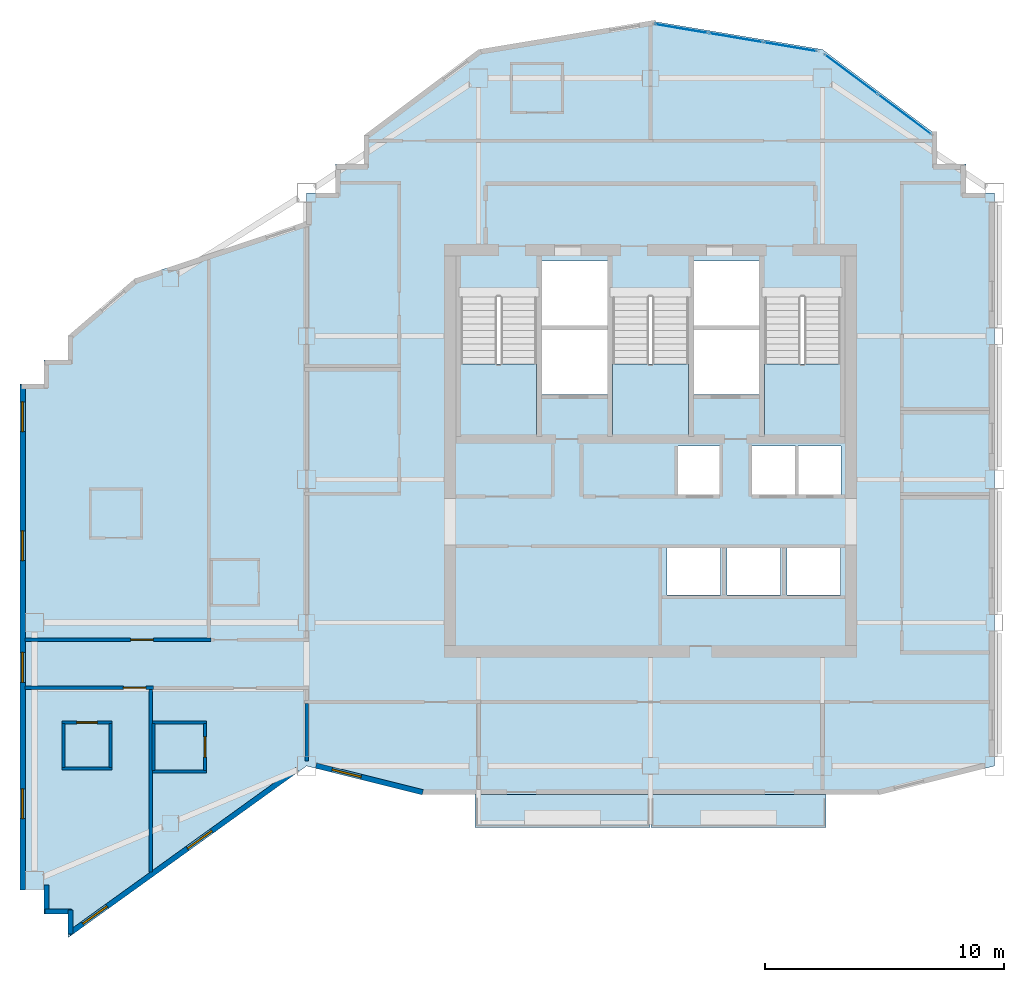
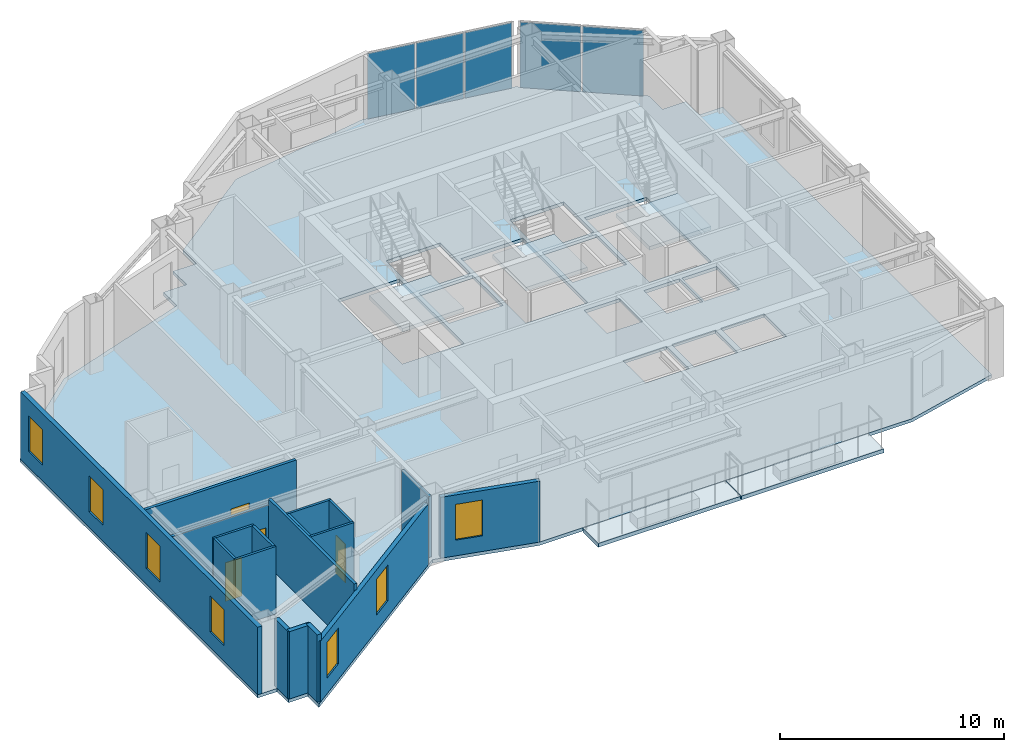
# One storey, part 4 of 9: 18 walls, 7 windows, 6 slabs, 5 plates, 4 doors, 11 openings, 5 elements without a shape of their own.
"""IFC4 building model written with IfcOpenShell, lengths in metres."""

from ifc_helpers import new_model, si_unit, direction, frame, frame_2d, origin, origin_2d, place, context, subcontext, project, spatial, polyline, rectangle, outline, extrude, material, layer, layer_set, type_object, element, fill, aggregate, save


model = new_model("IFC4")

# Units and contexts
model_context = context("Model", 3, precision=1e-05, world=origin(), true_north=direction((0.0, 1.0)))
body_context = subcontext(model_context, "Body", "Model", "MODEL_VIEW")
ifc_project = project(units=[si_unit("LENGTHUNIT", "METRE"), si_unit("AREAUNIT", "SQUARE_METRE"), si_unit("VOLUMEUNIT", "CUBIC_METRE"), si_unit("PLANEANGLEUNIT", "RADIAN"), si_unit("MASSUNIT", "GRAM", prefix="KILO")], contexts=[model_context])

# Site, building, storey
site_placement = place(None, origin())
site = spatial("IfcSite", under=ifc_project, at=site_placement, CompositionType="ELEMENT")
building_placement = place(site_placement, origin())
building = spatial("IfcBuilding", under=site, at=building_placement, Name="Haolan Belvedere Tower", CompositionType="ELEMENT")
storey_placement = place(building_placement, frame((0.0, 0.0, 239.050048828125)))
storey = spatial("IfcBuildingStorey", under=building, at=storey_placement, Name="L60", CompositionType="ELEMENT", Elevation=239.050048828125)

# Curtain wall, plates
ifc_material_1 = material(Name="Anodised champagne-silver aluminium 6063-T6 and Low-E glass", Category="aluminium")
ifc_layer_1 = layer(ifc_material_1, 0.14501953125, Name="Anodised champagne-silver aluminium 6063-T6 and Low-E glass")
ifc_layer_set_1 = layer_set([ifc_layer_1], Name="Anodised champagne-silver aluminium 6063-T6 and Low-E glass")
curtain_wall_type = type_object("IfcCurtainWallType", Name="CW-SYS-05", PredefinedType="NOTDEFINED", material=ifc_layer_set_1)
curtain_wall_1_placement = place(storey_placement, origin())
curtain_wall_1 = element("IfcCurtainWall", 1, at=curtain_wall_1_placement, inside=storey, type_object=curtain_wall_type, Name="L60 CW-SYS-05 ribbon curtain wall 8.1", PredefinedType="NOTDEFINED")
ifc_material_2 = material(Name="Double silver Low-E laminated insulating glass", Category="glass")
ifc_layer_2 = layer(ifc_material_2, 0.02197265625, Name="Double silver Low-E laminated insulating glass")
ifc_layer_set_2 = layer_set([ifc_layer_2], Name="Double silver Low-E laminated insulating glass")
plate_type = type_object("IfcPlateType", Name="CW-SYS-05-PNL", PredefinedType="CURTAIN_PANEL", material=ifc_layer_set_2)
plate_1_placement = place(storey_placement, frame((49.03955078125, 48.8828125, 0.0498046875), z_axis=(0.0, 0.0, 1.0), x_axis=(-0.799997871638, 0.600002837806, 0.0)))
plate_1 = element("IfcPlate", 2, at=plate_1_placement, type_object=plate_type, Name="CW-05 panel 1.1", PredefinedType="CURTAIN_PANEL", context=body_context, shape_type="SweptSolid", body=[
    extrude(rectangle(XDim=2.738037109375, YDim=0.02197265625, at=origin_2d()), origin(), (0.0, 0.0, 1.0), 3.570068359375),
])
plate_2_placement = place(storey_placement, frame((46.805908203125, 50.55810546875, 0.0498046875), z_axis=(0.0, 0.0, 1.0), x_axis=(-0.799997871638, 0.600002837806, 0.0)))
plate_2 = element("IfcPlate", 3, at=plate_2_placement, type_object=plate_type, Name="CW-05 panel 2.1", PredefinedType="CURTAIN_PANEL", context=body_context, shape_type="SweptSolid", body=[
    extrude(rectangle(XDim=2.738037109375, YDim=0.02197265625, at=origin_2d()), origin(), (0.0, 0.0, 1.0), 3.570068359375),
])
aggregate(curtain_wall_1, [plate_1, plate_2])

curtain_wall_2_placement = place(storey_placement, origin())
curtain_wall_2 = element("IfcCurtainWall", 4, at=curtain_wall_2_placement, inside=storey, type_object=curtain_wall_type, Name="L60 CW-SYS-05 ribbon curtain wall 9.1", PredefinedType="NOTDEFINED")
plate_3_placement = place(storey_placement, frame((44.257568359375, 51.712158203125, 0.0498046875), z_axis=(0.0, 0.0, 1.0), x_axis=(-0.98639276122, 0.164405962825, 0.0)))
plate_3 = element("IfcPlate", 5, at=plate_3_placement, type_object=plate_type, Name="CW-05 panel 1.1", PredefinedType="CURTAIN_PANEL", context=body_context, shape_type="SweptSolid", body=[
    extrude(rectangle(XDim=2.24365234375, YDim=0.02197265625, at=origin_2d()), origin(), (0.0, 0.0, 1.0), 3.570068359375),
])
plate_4_placement = place(storey_placement, frame((41.977783203125, 52.09228515625, 0.0498046875), z_axis=(0.0, 0.0, 1.0), x_axis=(-0.98639276122, 0.164405962825, 0.0)))
plate_4 = element("IfcPlate", 6, at=plate_4_placement, type_object=plate_type, Name="CW-05 panel 2.1", PredefinedType="CURTAIN_PANEL", context=body_context, shape_type="SweptSolid", body=[
    extrude(rectangle(XDim=2.270751953125, YDim=0.02197265625, at=origin_2d()), origin(), (0.0, 0.0, 1.0), 3.570068359375),
])
plate_5_placement = place(storey_placement, frame((39.697998046875, 52.47216796875, 0.0498046875), z_axis=(0.0, 0.0, 1.0), x_axis=(-0.98639276122, 0.164405962825, 0.0)))
plate_5 = element("IfcPlate", 7, at=plate_5_placement, type_object=plate_type, Name="CW-05 panel 3.1", PredefinedType="CURTAIN_PANEL", context=body_context, shape_type="SweptSolid", body=[
    extrude(rectangle(XDim=2.24365234375, YDim=0.02197265625, at=origin_2d()), origin(), (0.0, 0.0, 1.0), 3.570068359375),
])
aggregate(curtain_wall_2, [plate_3, plate_4, plate_5])

# Slabs
ifc_material_3 = material(Name="Concrete C40/50", Category="concrete")
ifc_layer_3 = layer(ifc_material_3, 0.2099609375, Name="Concrete C40/50")
ifc_layer_set_3 = layer_set([ifc_layer_3], Name="Concrete C40/50")
slab_type_1 = type_object("IfcSlabType", Name="SL-BAL-210", PredefinedType="FLOOR", material=ifc_layer_set_3)
slab_1_placement = place(storey_placement, frame((0.0, 0.0, -0.22998046875)))
element("IfcSlab", 8, at=slab_1_placement, inside=storey, type_object=slab_type_1, Name="L60 structural tree-planter balcony slab BAL-L60-S1", PredefinedType="FLOOR", context=body_context, shape_type="SweptSolid", body=[
    extrude(outline(polyline([(31.050048828125, 19.02001953125), (38.3798828125, 19.02001953125), (38.3798828125, 20.39990234375), (31.050048828125, 20.39990234375), (31.050048828125, 19.02001953125)])), origin(), (0.0, 0.0, 1.0), 0.2099609375),
])
slab_2_placement = place(storey_placement, frame((0.0, 0.0, -0.22998046875)))
element("IfcSlab", 9, at=slab_2_placement, inside=storey, type_object=slab_type_1, Name="L60 structural tree-planter balcony slab BAL-L60-S2", PredefinedType="FLOOR", context=body_context, shape_type="SweptSolid", body=[
    extrude(outline(polyline([(38.419921875, 19.02001953125), (45.75, 19.02001953125), (45.75, 20.39990234375), (38.419921875, 20.39990234375), (38.419921875, 19.02001953125)])), origin(), (0.0, 0.0, 1.0), 0.2099609375),
])
ifc_layer_4 = layer(ifc_material_3, 0.179931640625, Name="Concrete C40/50")
ifc_layer_set_4 = layer_set([ifc_layer_4], Name="Concrete C40/50")
slab_type_2 = type_object("IfcSlabType", Name="SL-FLR-180", PredefinedType="FLOOR", material=ifc_layer_set_4)
slab_3_placement = place(storey_placement, frame((0.0, 0.0, -0.179931640625)))
element("IfcSlab", 10, at=slab_3_placement, inside=storey, type_object=slab_type_2, Name="L60 structural floor slab", PredefinedType="FLOOR", context=body_context, shape_type="SweptSolid", body=[
    extrude(outline(polyline([(24.0, 21.60009765625), (28.800048828125, 20.39990234375), (48.0, 20.39990234375), (52.800048828125, 21.60009765625), (52.800048828125, 45.60009765625), (51.60009765625, 45.60009765625), (51.60009765625, 46.800048828125), (50.39990234375, 46.800048828125), (50.39990234375, 48.0), (45.60009765625, 51.60009765625), (38.39990234375, 52.800048828125), (31.199951171875, 51.60009765625), (26.39990234375, 48.0), (26.39990234375, 46.800048828125), (25.199951171875, 46.800048828125), (25.199951171875, 45.60009765625), (24.0, 45.60009765625), (24.0, 44.39990234375), (16.800048828125, 42.0), (14.0, 39.60009765625), (14.0, 38.60009765625), (13.0, 38.60009765625), (13.0, 37.60009765625), (12.0, 37.60009765625), (12.0, 16.800048828125), (12.0, 16.39990234375), (13.0, 16.39990234375), (13.0, 15.39990234375), (14.0, 15.39990234375), (14.0, 14.39990234375), (24.0, 21.60009765625)]), holes=[polyline([(30.449951171875, 41.22998046875), (30.449951171875, 35.449951171875), (33.6298828125, 35.449951171875), (33.6298828125, 41.22998046875), (30.449951171875, 41.22998046875)]), polyline([(36.81005859375, 41.22998046875), (36.81005859375, 35.449951171875), (39.989990234375, 35.449951171875), (39.989990234375, 41.22998046875), (36.81005859375, 41.22998046875)]), polyline([(43.169921875, 41.22998046875), (43.169921875, 35.449951171875), (46.35009765625, 35.449951171875), (46.35009765625, 41.22998046875), (43.169921875, 41.22998046875)]), polyline([(33.830078125, 40.050048828125), (36.610107421875, 40.050048828125), (36.610107421875, 42.75), (33.830078125, 42.75), (33.830078125, 40.050048828125)]), polyline([(33.830078125, 37.14990234375), (36.610107421875, 37.14990234375), (36.610107421875, 39.85009765625), (33.830078125, 39.85009765625), (33.830078125, 37.14990234375)]), polyline([(40.18994140625, 40.050048828125), (42.969970703125, 40.050048828125), (42.969970703125, 42.75), (40.18994140625, 42.75), (40.18994140625, 40.050048828125)]), polyline([(40.18994140625, 37.14990234375), (42.969970703125, 37.14990234375), (42.969970703125, 39.85009765625), (40.18994140625, 39.85009765625), (40.18994140625, 37.14990234375)]), polyline([(39.5400390625, 32.949951171875), (41.389892578125, 32.949951171875), (41.389892578125, 35.0), (39.5400390625, 35.0), (39.5400390625, 32.949951171875)]), polyline([(42.6201171875, 32.949951171875), (44.469970703125, 32.949951171875), (44.469970703125, 35.0), (42.6201171875, 35.0), (42.6201171875, 32.949951171875)]), polyline([(44.580078125, 32.949951171875), (46.3798828125, 32.949951171875), (46.3798828125, 35.0), (44.580078125, 35.0), (44.580078125, 32.949951171875)]), polyline([(39.10009765625, 28.75), (41.340087890625, 28.75), (41.340087890625, 30.75), (39.10009765625, 30.75), (39.10009765625, 28.75)]), polyline([(41.610107421875, 28.75), (43.85009765625, 28.75), (43.85009765625, 30.75), (41.610107421875, 30.75), (41.610107421875, 28.75)]), polyline([(44.1201171875, 28.75), (46.360107421875, 28.75), (46.360107421875, 30.75), (44.1201171875, 30.75), (44.1201171875, 28.75)])]), origin(), (0.0, 0.0, 1.0), 0.179931640625),
])

# Stair, slab
stair_type = type_object("IfcStairType", Name="STR-DL-22R-175", PredefinedType="HALF_TURN_STAIR", material=ifc_material_3)
stair_1_placement = place(storey_placement, origin())
stair_1 = element("IfcStair", 11, at=stair_1_placement, inside=storey, type_object=stair_type, Name="L60 Smokeproof Core Exit Stair ST1", PredefinedType="HALF_TURN_STAIR")
ifc_layer_5 = layer(ifc_material_3, 0.199951171875, Name="Concrete C40/50")
ifc_layer_set_5 = layer_set([ifc_layer_5], Name="Concrete C40/50")
slab_type_3 = type_object("IfcSlabType", Name="SL-LAND-200", PredefinedType="LANDING", material=ifc_layer_set_5)
slab_4_placement = place(storey_placement, frame((0.0, 0.0, 1.724853515625)))
slab_4 = element("IfcSlab", 12, at=slab_4_placement, type_object=slab_type_3, Name="ST1 landing 1", PredefinedType="LANDING", context=body_context, shape_type="SweptSolid", body=[
    extrude(outline(polyline([(30.449951171875, 38.429931640625), (30.449951171875, 35.449951171875), (33.6298828125, 35.449951171875), (33.6298828125, 38.429931640625), (30.449951171875, 38.429931640625)])), origin(), (0.0, 0.0, 1.0), 0.2001953125),
])
aggregate(stair_1, [slab_4])

stair_2_placement = place(storey_placement, origin())
stair_2 = element("IfcStair", 13, at=stair_2_placement, inside=storey, type_object=stair_type, Name="L60 Smokeproof Core Exit Stair ST3", PredefinedType="HALF_TURN_STAIR")
slab_5_placement = place(storey_placement, frame((0.0, 0.0, 1.724853515625)))
slab_5 = element("IfcSlab", 14, at=slab_5_placement, type_object=slab_type_3, Name="ST3 landing 1", PredefinedType="LANDING", context=body_context, shape_type="SweptSolid", body=[
    extrude(outline(polyline([(36.81005859375, 38.429931640625), (36.81005859375, 35.449951171875), (39.989990234375, 35.449951171875), (39.989990234375, 38.429931640625), (36.81005859375, 38.429931640625)])), origin(), (0.0, 0.0, 1.0), 0.2001953125),
])
aggregate(stair_2, [slab_5])

stair_3_placement = place(storey_placement, origin())
stair_3 = element("IfcStair", 15, at=stair_3_placement, inside=storey, type_object=stair_type, Name="L60 Smokeproof Core Exit Stair ST2", PredefinedType="HALF_TURN_STAIR")
slab_6_placement = place(storey_placement, frame((0.0, 0.0, 1.724853515625)))
slab_6 = element("IfcSlab", 16, at=slab_6_placement, type_object=slab_type_3, Name="ST2 landing 1", PredefinedType="LANDING", context=body_context, shape_type="SweptSolid", body=[
    extrude(outline(polyline([(43.169921875, 38.429931640625), (43.169921875, 35.449951171875), (46.35009765625, 35.449951171875), (46.35009765625, 38.429931640625), (43.169921875, 38.429931640625)])), origin(), (0.0, 0.0, 1.0), 0.2001953125),
])
aggregate(stair_3, [slab_6])

# Wall, openings, windows
ifc_material_4 = material(Name="Precast concrete C40/50", Category="concrete")
ifc_layer_6 = layer(ifc_material_4, 0.219970703125, Name="Precast concrete C40/50")
ifc_layer_set_6 = layer_set([ifc_layer_6], Name="Precast concrete C40/50")
wall_type_1 = type_object("IfcWallType", Name="WL-EXT-220", PredefinedType="SOLIDWALL", material=ifc_layer_set_6)
wall_1_placement = place(storey_placement, frame((12.110107421875, 37.544921875, 0.0), z_axis=(0.0, 0.0, 1.0), x_axis=(0.0, -1.0, 0.0)))
wall_1 = element("IfcWall", 17, at=wall_1_placement, inside=storey, type_object=wall_type_1, Name="L60 pale-metal exterior spandrel wall 23.1", PredefinedType="SOLIDWALL", context=body_context, shape_type="SweptSolid", body=[
    extrude(rectangle(XDim=21.14501953125, YDim=0.219970703125, at=frame_2d((10.572509765625, 0.0))), origin(), (0.0, 0.0, 1.0), 3.669921875),
])
opening_1_placement = place(wall_1_placement, frame((0.699951171875, 0.0, 0.85009765625)))
opening_1 = element("IfcOpeningElement", 18, at=opening_1_placement, cuts=wall_1, Name="Opening W-04", PredefinedType="OPENING", context=body_context, shape_type="SweptSolid", body=[
    extrude(rectangle(XDim=1.25, YDim=1.949951171875, at=frame_2d((0.625, 0.97509765625))), frame((0.0, 0.119873046875, 0.0), z_axis=(0.0, -1.0, 0.0), x_axis=(1.0, 0.0, 0.0)), (0.0, 0.0, 1.0), 0.239990234375),
])
opening_2_placement = place(wall_1_placement, frame((6.10009765625, 0.0, 0.85009765625)))
opening_2 = element("IfcOpeningElement", 19, at=opening_2_placement, cuts=wall_1, Name="Opening W-04", PredefinedType="OPENING", context=body_context, shape_type="SweptSolid", body=[
    extrude(rectangle(XDim=1.25, YDim=1.949951171875, at=frame_2d((0.625, 0.97509765625))), frame((0.0, 0.119873046875, 0.0), z_axis=(0.0, -1.0, 0.0), x_axis=(1.0, 0.0, 0.0)), (0.0, 0.0, 1.0), 0.239990234375),
])
opening_3_placement = place(wall_1_placement, frame((11.18994140625, 0.0, 0.85009765625)))
opening_3 = element("IfcOpeningElement", 20, at=opening_3_placement, cuts=wall_1, Name="Opening W-04", PredefinedType="OPENING", context=body_context, shape_type="SweptSolid", body=[
    extrude(rectangle(XDim=1.25, YDim=1.949951171875, at=frame_2d((0.625, 0.97509765625))), frame((0.0, 0.119873046875, 0.0), z_axis=(0.0, -1.0, 0.0), x_axis=(1.0, 0.0, 0.0)), (0.0, 0.0, 1.0), 0.239990234375),
])
opening_4_placement = place(wall_1_placement, frame((16.89990234375, 0.0, 0.85009765625)))
opening_4 = element("IfcOpeningElement", 21, at=opening_4_placement, cuts=wall_1, Name="Opening W-04", PredefinedType="OPENING", context=body_context, shape_type="SweptSolid", body=[
    extrude(rectangle(XDim=1.25, YDim=1.949951171875, at=frame_2d((0.625, 0.97509765625))), frame((0.0, 0.119873046875, 0.0), z_axis=(0.0, -1.0, 0.0), x_axis=(1.0, 0.0, 0.0)), (0.0, 0.0, 1.0), 0.239990234375),
])
ifc_material_5 = material(Name="Anodised aluminium 6063-T6 and Low-E glass", Category="aluminium")
window_type = type_object("IfcWindowType", Name="WN-DECO-Z4", PartitioningType="SINGLE_PANEL", PredefinedType="WINDOW", material=ifc_material_5)
window_1_placement = place(opening_1_placement, origin())
window_1 = element("IfcWindow", 22, at=window_1_placement, inside=storey, type_object=window_type, Name="L60 Art Deco chevron window 1", OverallHeight=1.949951171875, OverallWidth=1.25, PartitioningType="SINGLE_PANEL", PredefinedType="WINDOW", context=body_context, shape_type="SweptSolid", body=[
    extrude(rectangle(XDim=1.25, YDim=1.949951171875, at=frame_2d((0.625, 0.97509765625))), frame((0.0, 0.030029296875, 0.0), z_axis=(0.0, -1.0, 0.0), x_axis=(1.0, 0.0, 0.0)), (0.0, 0.0, 1.0), 0.06005859375),
])
fill(opening_1, window_1)
window_2_placement = place(opening_2_placement, origin())
window_2 = element("IfcWindow", 23, at=window_2_placement, inside=storey, type_object=window_type, Name="L60 Art Deco chevron window 2", OverallHeight=1.949951171875, OverallWidth=1.25, PartitioningType="SINGLE_PANEL", PredefinedType="WINDOW", context=body_context, shape_type="SweptSolid", body=[
    extrude(rectangle(XDim=1.25, YDim=1.949951171875, at=frame_2d((0.625, 0.97509765625))), frame((0.0, 0.030029296875, 0.0), z_axis=(0.0, -1.0, 0.0), x_axis=(1.0, 0.0, 0.0)), (0.0, 0.0, 1.0), 0.06005859375),
])
fill(opening_2, window_2)
window_3_placement = place(opening_3_placement, origin())
window_3 = element("IfcWindow", 24, at=window_3_placement, inside=storey, type_object=window_type, Name="L60 Art Deco chevron window 3", OverallHeight=1.949951171875, OverallWidth=1.25, PartitioningType="SINGLE_PANEL", PredefinedType="WINDOW", context=body_context, shape_type="SweptSolid", body=[
    extrude(rectangle(XDim=1.25, YDim=1.949951171875, at=frame_2d((0.625, 0.97509765625))), frame((0.0, 0.030029296875, 0.0), z_axis=(0.0, -1.0, 0.0), x_axis=(1.0, 0.0, 0.0)), (0.0, 0.0, 1.0), 0.06005859375),
])
fill(opening_3, window_3)
window_4_placement = place(opening_4_placement, origin())
window_4 = element("IfcWindow", 25, at=window_4_placement, inside=storey, type_object=window_type, Name="L60 Art Deco chevron window 4", OverallHeight=1.949951171875, OverallWidth=1.25, PartitioningType="SINGLE_PANEL", PredefinedType="WINDOW", context=body_context, shape_type="SweptSolid", body=[
    extrude(rectangle(XDim=1.25, YDim=1.949951171875, at=frame_2d((0.625, 0.97509765625))), frame((0.0, 0.030029296875, 0.0), z_axis=(0.0, -1.0, 0.0), x_axis=(1.0, 0.0, 0.0)), (0.0, 0.0, 1.0), 0.06005859375),
])
fill(opening_4, window_4)

# Walls
wall_2_placement = place(storey_placement, frame((13.110107421875, 16.6201171875, 0.0), z_axis=(0.0, 0.0, 1.0), x_axis=(0.0, -1.0, 0.0)))
element("IfcWall", 26, at=wall_2_placement, inside=storey, type_object=wall_type_1, Name="L60 pale-metal exterior spandrel wall 25.1", PredefinedType="SOLIDWALL", context=body_context, shape_type="SweptSolid", body=[
    extrude(rectangle(XDim=1.1650390625, YDim=0.219970703125, at=frame_2d((0.58251953125, 0.0))), origin(), (0.0, 0.0, 1.0), 3.669921875),
])
wall_3_placement = place(storey_placement, frame((13.054931640625, 15.510009765625, 0.0), z_axis=(0.0, 0.0, 1.0), x_axis=(1.0, 0.0, 0.0)))
element("IfcWall", 27, at=wall_3_placement, inside=storey, type_object=wall_type_1, Name="L60 pale-metal exterior spandrel wall 26.1", PredefinedType="SOLIDWALL", context=body_context, shape_type="SweptSolid", body=[
    extrude(rectangle(XDim=1.110107421875, YDim=0.219970703125, at=frame_2d((0.55517578125, 0.0))), origin(), (0.0, 0.0, 1.0), 3.669921875),
])
wall_4_placement = place(storey_placement, frame((14.110107421875, 15.56494140625, 0.0), z_axis=(0.0, 0.0, 1.0), x_axis=(0.0, -1.0, 0.0)))
element("IfcWall", 28, at=wall_4_placement, inside=storey, type_object=wall_type_1, Name="L60 pale-metal exterior spandrel wall 27.1", PredefinedType="SOLIDWALL", context=body_context, shape_type="SweptSolid", body=[
    extrude(rectangle(XDim=1.005126953125, YDim=0.219970703125, at=frame_2d((0.50244140625, 0.0))), origin(), (0.0, 0.0, 1.0), 3.669921875),
])

# Wall, openings, windows
wall_5_placement = place(storey_placement, frame((14.0654296875, 14.58251953125, 0.0), z_axis=(0.0, 0.0, 1.0), x_axis=(0.811523708458, 0.584319493608, 0.0)))
wall_5 = element("IfcWall", 29, at=wall_5_placement, inside=storey, type_object=wall_type_1, Name="L60 pale-metal exterior spandrel wall 28.1", PredefinedType="SOLIDWALL", context=body_context, shape_type="SweptSolid", body=[
    extrude(rectangle(XDim=11.7587890625, YDim=0.219970703125, at=frame_2d((5.87939453125, 0.0))), origin(), (0.0, 0.0, 1.0), 3.31494140625),
])
opening_5_placement = place(wall_5_placement, frame((0.699951171875, 0.0, 0.85009765625)))
opening_5 = element("IfcOpeningElement", 30, at=opening_5_placement, cuts=wall_5, Name="Opening W-04", PredefinedType="OPENING", context=body_context, shape_type="SweptSolid", body=[
    extrude(rectangle(XDim=1.25, YDim=1.949951171875, at=frame_2d((0.625, 0.97509765625))), frame((0.0, 0.119873046875, 0.0), z_axis=(0.0, -1.0, 0.0), x_axis=(1.0, 0.0, 0.0)), (0.0, 0.0, 1.0), 0.239990234375),
])
opening_6_placement = place(wall_5_placement, frame((6.10009765625, 0.0, 0.85009765625)))
opening_6 = element("IfcOpeningElement", 31, at=opening_6_placement, cuts=wall_5, Name="Opening W-04", PredefinedType="OPENING", context=body_context, shape_type="SweptSolid", body=[
    extrude(rectangle(XDim=1.25, YDim=1.949951171875, at=frame_2d((0.625, 0.97509765625))), frame((0.0, 0.119873046875, 0.0), z_axis=(0.0, -1.0, 0.0), x_axis=(1.0, 0.0, 0.0)), (0.0, 0.0, 1.0), 0.239990234375),
])
window_5_placement = place(opening_5_placement, origin())
window_5 = element("IfcWindow", 32, at=window_5_placement, inside=storey, type_object=window_type, Name="L60 Art Deco chevron window 1", OverallHeight=1.949951171875, OverallWidth=1.25, PartitioningType="SINGLE_PANEL", PredefinedType="WINDOW", context=body_context, shape_type="SweptSolid", body=[
    extrude(rectangle(XDim=1.25, YDim=1.949951171875, at=frame_2d((0.625, 0.97509765625))), frame((0.0, 0.030029296875, 0.0), z_axis=(0.0, -1.0, 0.0), x_axis=(1.0, 0.0, 0.0)), (0.0, 0.0, 1.0), 0.06005859375),
])
fill(opening_5, window_5)
window_6_placement = place(opening_6_placement, origin())
window_6 = element("IfcWindow", 33, at=window_6_placement, inside=storey, type_object=window_type, Name="L60 Art Deco chevron window 2", OverallHeight=1.949951171875, OverallWidth=1.25, PartitioningType="SINGLE_PANEL", PredefinedType="WINDOW", context=body_context, shape_type="SweptSolid", body=[
    extrude(rectangle(XDim=1.25, YDim=1.949951171875, at=frame_2d((0.625, 0.97509765625))), frame((0.0, 0.030029296875, 0.0), z_axis=(0.0, -1.0, 0.0), x_axis=(1.0, 0.0, 0.0)), (0.0, 0.0, 1.0), 0.06005859375),
])
fill(opening_6, window_6)

# Wall, opening, window
wall_6_placement = place(storey_placement, frame((24.39208984375, 21.615478515625, 0.0), z_axis=(0.0, 0.0, 1.0), x_axis=(0.970133159038, -0.242572986408, 0.0)))
wall_6 = element("IfcWall", 34, at=wall_6_placement, inside=storey, type_object=wall_type_1, Name="L60 pale-metal exterior spandrel wall 29.1", PredefinedType="SOLIDWALL", context=body_context, shape_type="SweptSolid", body=[
    extrude(rectangle(XDim=4.612548828125, YDim=0.219970703125, at=frame_2d((2.30615234375, 0.0))), origin(), (0.0, 0.0, 1.0), 3.31494140625),
])
opening_7_placement = place(wall_6_placement, frame((0.699951171875, 0.0, 0.85009765625)))
opening_7 = element("IfcOpeningElement", 35, at=opening_7_placement, cuts=wall_6, Name="Opening W-04", PredefinedType="OPENING", context=body_context, shape_type="SweptSolid", body=[
    extrude(rectangle(XDim=1.25, YDim=1.949951171875, at=frame_2d((0.625, 0.97509765625))), frame((0.0, 0.119873046875, 0.0), z_axis=(0.0, -1.0, 0.0), x_axis=(1.0, 0.0, 0.0)), (0.0, 0.0, 1.0), 0.239990234375),
])
window_7_placement = place(opening_7_placement, origin())
window_7 = element("IfcWindow", 36, at=window_7_placement, inside=storey, type_object=window_type, Name="L60 Art Deco chevron window 1", OverallHeight=1.949951171875, OverallWidth=1.25, PartitioningType="SINGLE_PANEL", PredefinedType="WINDOW", context=body_context, shape_type="SweptSolid", body=[
    extrude(rectangle(XDim=1.25, YDim=1.949951171875, at=frame_2d((0.625, 0.97509765625))), frame((0.0, 0.030029296875, 0.0), z_axis=(0.0, -1.0, 0.0), x_axis=(1.0, 0.0, 0.0)), (0.0, 0.0, 1.0), 0.06005859375),
])
fill(opening_7, window_7)

# Wall
ifc_material_6 = material(Name="Double gypsum acoustic stud partition", Category="masonry")
ifc_layer_7 = layer(ifc_material_6, 0.14990234375, Name="Double gypsum acoustic stud partition")
ifc_layer_set_7 = layer_set([ifc_layer_7], Name="Double gypsum acoustic stud partition")
wall_type_2 = type_object("IfcWallType", Name="WL-PART-150", PredefinedType="PARTITIONING", material=ifc_layer_set_7)
wall_7_placement = place(storey_placement, frame((24.0, 21.818603515625, 0.0), z_axis=(0.0, 0.0, 1.0), x_axis=(0.0, 1.0, 0.0)))
element("IfcWall", 37, at=wall_7_placement, inside=storey, type_object=wall_type_2, Name="L60 interior partition IW-L60-KS1-W", PredefinedType="PARTITIONING", context=body_context, shape_type="SweptSolid", body=[
    extrude(rectangle(XDim=2.4013671875, YDim=0.14990234375, at=frame_2d((1.20068359375, 0.0))), origin(), (0.0, 0.0, 1.0), 3.31494140625),
])

# Wall, opening, door
wall_8_placement = place(storey_placement, frame((12.2119140625, 26.8798828125, 0.0), z_axis=(0.0, 0.0, 1.0), x_axis=(1.0, 0.0, 0.0)))
wall_8 = element("IfcWall", 38, at=wall_8_placement, inside=storey, type_object=wall_type_2, Name="L60 interior partition IW-L60-T2N1-S", PredefinedType="PARTITIONING", context=body_context, shape_type="SweptSolid", body=[
    extrude(rectangle(XDim=7.7880859375, YDim=0.14990234375, at=frame_2d((3.89404296875, 0.0))), origin(), (0.0, 0.0, 1.0), 3.669921875),
])
opening_8_placement = place(wall_8_placement, frame((4.4248046875, 0.0, 0.0)))
opening_8 = element("IfcOpeningElement", 39, at=opening_8_placement, cuts=wall_8, Name="Opening ID-01", PredefinedType="OPENING", context=body_context, shape_type="SweptSolid", body=[
    extrude(rectangle(XDim=0.949951171875, YDim=2.179931640625, at=frame_2d((0.47509765625, 1.08984375))), frame((0.0, 0.0849609375, 0.0), z_axis=(0.0, -1.0, 0.0), x_axis=(1.0, 0.0, 0.0)), (0.0, 0.0, 1.0), 0.169921875),
])
ifc_material_7 = material(Name="Acoustic walnut veneer fire-rated timber", Category="wood")
door_type_1 = type_object("IfcDoorType", Name="DR-SUITE-950", OperationType="NOTDEFINED", PredefinedType="DOOR", material=ifc_material_7)
door_1_placement = place(opening_8_placement, origin())
door_1 = element("IfcDoor", 40, at=door_1_placement, inside=storey, type_object=door_type_1, Name="L60 door ID-L60-T2N1-ENT", OperationType="SINGLE_SWING_LEFT", OverallHeight=2.179931640625, OverallWidth=0.949951171875, PredefinedType="DOOR", context=body_context, shape_type="SweptSolid", body=[
    extrude(rectangle(XDim=0.949951171875, YDim=2.179931640625, at=frame_2d((0.47509765625, 1.08984375))), frame((0.0, 0.02490234375, 0.0), z_axis=(0.0, -1.0, 0.0), x_axis=(1.0, 0.0, 0.0)), (0.0, 0.0, 1.0), 0.050048828125),
])
fill(opening_8, door_1)

wall_9_placement = place(storey_placement, frame((12.2119140625, 24.8701171875, 0.0), z_axis=(0.0, 0.0, 1.0), x_axis=(1.0, 0.0, 0.0)))
wall_9 = element("IfcWall", 41, at=wall_9_placement, inside=storey, type_object=wall_type_2, Name="L60 interior partition IW-L60-T2S1-N", PredefinedType="PARTITIONING", context=body_context, shape_type="SweptSolid", body=[
    extrude(rectangle(XDim=5.3681640625, YDim=0.14990234375, at=frame_2d((2.68408203125, 0.0))), origin(), (0.0, 0.0, 1.0), 3.35498046875),
])
opening_9_placement = place(wall_9_placement, frame((5.0615234375, 0.0, 0.0), z_axis=(0.0, 0.0, 1.0), x_axis=(-1.0, 0.0, 0.0)))
opening_9 = element("IfcOpeningElement", 42, at=opening_9_placement, cuts=wall_9, Name="Opening ID-02", PredefinedType="OPENING", context=body_context, shape_type="SweptSolid", body=[
    extrude(rectangle(XDim=0.949951171875, YDim=2.14990234375, at=frame_2d((0.47509765625, 1.074951171875))), frame((0.0, 0.0849609375, 0.0), z_axis=(0.0, -1.0, 0.0), x_axis=(1.0, 0.0, 0.0)), (0.0, 0.0, 1.0), 0.169921875),
])
ifc_material_8 = material(Name="Acoustic oak veneer fire-rated timber", Category="wood")
door_type_2 = type_object("IfcDoorType", Name="DR-GUEST-950", OperationType="NOTDEFINED", PredefinedType="DOOR", material=ifc_material_8)
door_2_placement = place(opening_9_placement, origin())
door_2 = element("IfcDoor", 43, at=door_2_placement, inside=storey, type_object=door_type_2, Name="L60 door ID-L60-T2S1-ENT", OperationType="SINGLE_SWING_LEFT", OverallHeight=2.14990234375, OverallWidth=0.949951171875, PredefinedType="DOOR", context=body_context, shape_type="SweptSolid", body=[
    extrude(rectangle(XDim=0.949951171875, YDim=2.14990234375, at=frame_2d((0.47509765625, 1.074951171875))), frame((0.0, 0.02490234375, 0.0), z_axis=(0.0, -1.0, 0.0), x_axis=(1.0, 0.0, 0.0)), (0.0, 0.0, 1.0), 0.050048828125),
])
fill(opening_9, door_2)

# Wall
wall_10_placement = place(storey_placement, frame((17.47998046875, 17.166748046875, 0.0), z_axis=(0.0, 0.0, 1.0), x_axis=(0.0, 1.0, 0.0)))
element("IfcWall", 44, at=wall_10_placement, inside=storey, type_object=wall_type_2, Name="L60 interior partition IW-L60-T2S1-E", PredefinedType="PARTITIONING", context=body_context, shape_type="SweptSolid", body=[
    extrude(rectangle(XDim=7.643310546875, YDim=0.14990234375, at=frame_2d((3.82177734375, 0.0))), origin(), (0.0, 0.0, 1.0), 3.669921875),
])

# Wall, opening, door
ifc_material_9 = material(Name="Moisture-resistant gypsum tile partition", Category="masonry")
ifc_layer_8 = layer(ifc_material_9, 0.1201171875, Name="Moisture-resistant gypsum tile partition")
ifc_layer_set_8 = layer_set([ifc_layer_8], Name="Moisture-resistant gypsum tile partition")
wall_type_3 = type_object("IfcWallType", Name="WL-WET-120", PredefinedType="PARTITIONING", material=ifc_layer_set_8)
wall_11_placement = place(storey_placement, frame((13.7548828125, 23.419921875, 0.0), z_axis=(0.0, 0.0, 1.0), x_axis=(1.0, 0.0, 0.0)))
wall_11 = element("IfcWall", 45, at=wall_11_placement, inside=storey, type_object=wall_type_3, Name="L60 interior partition IW-L60-T2S1-BN", PredefinedType="PARTITIONING", context=body_context, shape_type="SweptSolid", body=[
    extrude(rectangle(XDim=2.10009765625, YDim=0.1201171875, at=frame_2d((1.050048828125, 0.0))), origin(), (0.0, 0.0, 1.0), 3.669921875),
])
opening_10_placement = place(wall_11_placement, frame((1.47509765625, 0.0, 0.0), z_axis=(0.0, 0.0, 1.0), x_axis=(-1.0, 0.0, 0.0)))
opening_10 = element("IfcOpeningElement", 46, at=opening_10_placement, cuts=wall_11, Name="Opening ID-05", PredefinedType="OPENING", context=body_context, shape_type="SweptSolid", body=[
    extrude(rectangle(XDim=0.85009765625, YDim=2.10009765625, at=frame_2d((0.425048828125, 1.050048828125))), frame((0.0, 0.070068359375, 0.0), z_axis=(0.0, -1.0, 0.0), x_axis=(1.0, 0.0, 0.0)), (0.0, 0.0, 1.0), 0.14013671875),
])
ifc_material_10 = material(Name="Moisture-resistant lacquered timber", Category="wood")
door_type_3 = type_object("IfcDoorType", Name="DR-BATH-850", OperationType="NOTDEFINED", PredefinedType="DOOR", material=ifc_material_10)
door_3_placement = place(opening_10_placement, origin())
door_3 = element("IfcDoor", 47, at=door_3_placement, inside=storey, type_object=door_type_3, Name="L60 door ID-L60-T2S1-BATH", OperationType="SINGLE_SWING_RIGHT", OverallHeight=2.10009765625, OverallWidth=0.85009765625, PredefinedType="DOOR", context=body_context, shape_type="SweptSolid", body=[
    extrude(rectangle(XDim=0.85009765625, YDim=2.10009765625, at=frame_2d((0.425048828125, 1.050048828125))), frame((0.0, 0.02490234375, 0.0), z_axis=(0.0, -1.0, 0.0), x_axis=(1.0, 0.0, 0.0)), (0.0, 0.0, 1.0), 0.050048828125),
])
fill(opening_10, door_3)

# Walls
wall_12_placement = place(storey_placement, frame((13.7548828125, 21.5, 0.0), z_axis=(0.0, 0.0, 1.0), x_axis=(1.0, 0.0, 0.0)))
element("IfcWall", 48, at=wall_12_placement, inside=storey, type_object=wall_type_3, Name="L60 interior partition IW-L60-T2S1-BS", PredefinedType="PARTITIONING", context=body_context, shape_type="SweptSolid", body=[
    extrude(rectangle(XDim=2.10009765625, YDim=0.1201171875, at=frame_2d((1.050048828125, 0.0))), origin(), (0.0, 0.0, 1.0), 3.669921875),
])
for number, where, z_axis, x_axis, name in (
    (49, (13.81494140625, 21.544921875, 0.0), (0.0, 0.0, 1.0), (0.0, 1.0, 0.0), "L60 interior partition IW-L60-T2S1-BW"),
    (50, (15.794921875, 21.544921875, 0.0), (0.0, 0.0, 1.0), (0.0, 1.0, 0.0), "L60 interior partition IW-L60-T2S1-BE"),
):
    element("IfcWall", number, at=place(storey_placement, frame(where, z_axis=z_axis, x_axis=x_axis)), inside=storey, type_object=wall_type_3, Name=name, PredefinedType="PARTITIONING", context=body_context, shape_type="SweptSolid", body=[
        extrude(rectangle(XDim=1.830078125, YDim=0.1201171875, at=frame_2d((0.9150390625, 0.0))), origin(), (0.0, 0.0, 1.0), 3.669921875),
    ])
for number, where, z_axis, x_axis, name in (
    (51, (17.5400390625, 23.419921875, 0.0), (0.0, 0.0, 1.0), (1.0, 0.0, 0.0), "L60 interior partition IW-L60-T2S2-BN"),
    (52, (17.5400390625, 21.3701171875, 0.0), (0.0, 0.0, 1.0), (1.0, 0.0, 0.0), "L60 interior partition IW-L60-T2S2-BS"),
):
    element("IfcWall", number, at=place(storey_placement, frame(where, z_axis=z_axis, x_axis=x_axis)), inside=storey, type_object=wall_type_3, Name=name, PredefinedType="PARTITIONING", context=body_context, shape_type="SweptSolid", body=[
        extrude(rectangle(XDim=2.264892578125, YDim=0.1201171875, at=frame_2d((1.13232421875, 0.0))), origin(), (0.0, 0.0, 1.0), 3.669921875),
    ])
wall_13_placement = place(storey_placement, frame((17.594970703125, 21.4150390625, 0.0), z_axis=(0.0, 0.0, 1.0), x_axis=(0.0, 1.0, 0.0)))
element("IfcWall", 53, at=wall_13_placement, inside=storey, type_object=wall_type_3, Name="L60 interior partition IW-L60-T2S2-BW", PredefinedType="PARTITIONING", context=body_context, shape_type="SweptSolid", body=[
    extrude(rectangle(XDim=1.9599609375, YDim=0.1201171875, at=frame_2d((0.97998046875, 0.0))), origin(), (0.0, 0.0, 1.0), 3.669921875),
])

# Wall, opening, door
wall_14_placement = place(storey_placement, frame((19.7451171875, 21.4150390625, 0.0), z_axis=(0.0, 0.0, 1.0), x_axis=(0.0, 1.0, 0.0)))
wall_14 = element("IfcWall", 54, at=wall_14_placement, inside=storey, type_object=wall_type_3, Name="L60 interior partition IW-L60-T2S2-BE", PredefinedType="PARTITIONING", context=body_context, shape_type="SweptSolid", body=[
    extrude(rectangle(XDim=1.9599609375, YDim=0.1201171875, at=frame_2d((0.97998046875, 0.0))), origin(), (0.0, 0.0, 1.0), 3.669921875),
])
opening_11_placement = place(wall_14_placement, frame((0.554931640625, 0.0, 0.0)))
opening_11 = element("IfcOpeningElement", 55, at=opening_11_placement, cuts=wall_14, Name="Opening ID-05", PredefinedType="OPENING", context=body_context, shape_type="SweptSolid", body=[
    extrude(rectangle(XDim=0.85009765625, YDim=2.10009765625, at=frame_2d((0.425048828125, 1.050048828125))), frame((0.0, 0.070068359375, 0.0), z_axis=(0.0, -1.0, 0.0), x_axis=(1.0, 0.0, 0.0)), (0.0, 0.0, 1.0), 0.14013671875),
])
door_4_placement = place(opening_11_placement, origin())
door_4 = element("IfcDoor", 56, at=door_4_placement, inside=storey, type_object=door_type_3, Name="L60 door ID-L60-T2S2-BATH", OperationType="SINGLE_SWING_LEFT", OverallHeight=2.10009765625, OverallWidth=0.85009765625, PredefinedType="DOOR", context=body_context, shape_type="SweptSolid", body=[
    extrude(rectangle(XDim=0.85009765625, YDim=2.10009765625, at=frame_2d((0.425048828125, 1.050048828125))), frame((0.0, 0.02490234375, 0.0), z_axis=(0.0, -1.0, 0.0), x_axis=(1.0, 0.0, 0.0)), (0.0, 0.0, 1.0), 0.050048828125),
])
fill(opening_11, door_4)

save(model, "model.ifc")
